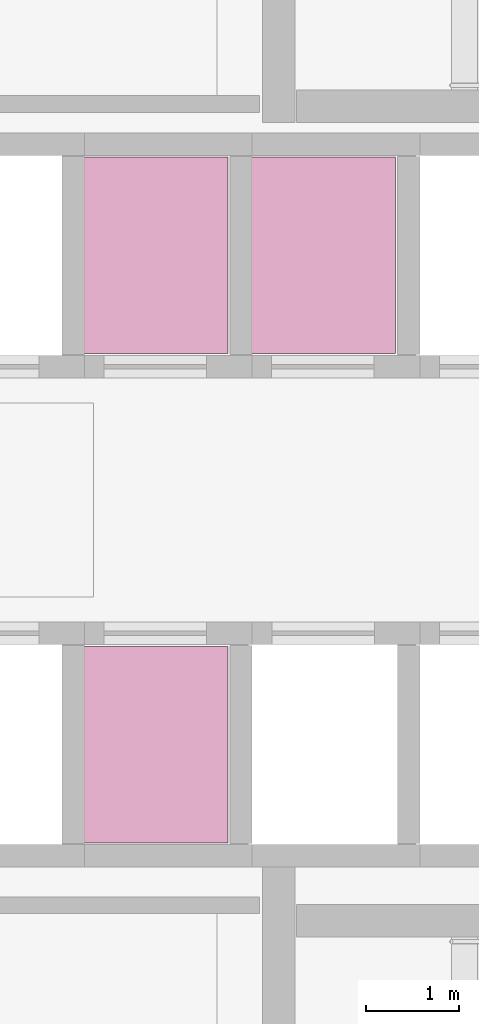
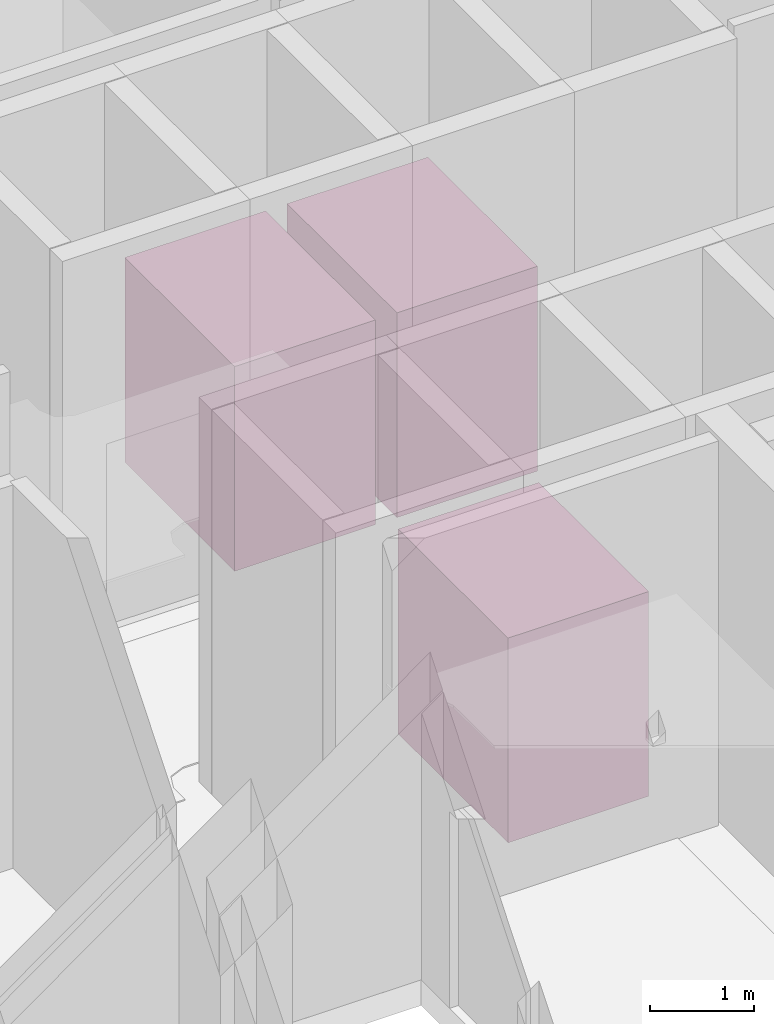
# One storey, part 36 of 36: 3 transport elements.
"""IFC4 building model written with IfcOpenShell, lengths in metres."""

from ifc_helpers import new_model, si_unit, direction, frame, origin, origin_2d, place, context, subcontext, project, spatial, rectangle, extrude, material, type_object, element, save


model = new_model("IFC4")

# Units and contexts
model_context = context("Model", 3, precision=1e-05, world=origin(), true_north=direction((0.0, 1.0)))
body_context = subcontext(model_context, "Body", "Model", "MODEL_VIEW")
ifc_project = project(units=[si_unit("LENGTHUNIT", "METRE"), si_unit("AREAUNIT", "SQUARE_METRE"), si_unit("VOLUMEUNIT", "CUBIC_METRE"), si_unit("PLANEANGLEUNIT", "RADIAN"), si_unit("MASSUNIT", "GRAM", prefix="KILO")], contexts=[model_context])

# Site, building, storey
site_placement = place(None, origin())
site = spatial("IfcSite", under=ifc_project, at=site_placement, CompositionType="ELEMENT")
building_placement = place(site_placement, origin())
building = spatial("IfcBuilding", under=site, at=building_placement, Name="Qorvath Tower", CompositionType="ELEMENT")
storey_placement = place(building_placement, frame((0.0, 0.0, 255.0)))
storey = spatial("IfcBuildingStorey", under=building, at=storey_placement, Name="L59", CompositionType="ELEMENT", Elevation=255.0)

# Transport elements
ifc_material = material(Name="Brushed stainless steel AISI 316", Category="steel")
transport_element_type = type_object("IfcTransportElementType", Name="LFT-PASS", PredefinedType="ELEVATOR", material=ifc_material)
for number, where, z_axis, x_axis, name in (
    (1, (-25.85009765625, 2.625, 0.0), (0.0, 0.0, 1.0), (1.0, 0.0, 0.0), "Elevator PH-1"),
    (2, (-24.050048828125, 2.625, 0.0), (0.0, 0.0, 1.0), (1.0, 0.0, 0.0), "Elevator PH-2"),
    (3, (-25.85009765625, -2.625, 0.0), (0.0, 0.0, 1.0), (1.0, 0.0, 0.0), "Elevator PH-3"),
):
    element("IfcTransportElement", number, at=place(storey_placement, frame(where, z_axis=z_axis, x_axis=x_axis)), inside=storey, type_object=transport_element_type, Name=name, PredefinedType="ELEVATOR", context=body_context, shape_type="SweptSolid", body=[
        extrude(rectangle(XDim=1.56005859375, YDim=2.110107421875, at=origin_2d()), origin(), (0.0, 0.0, 1.0), 2.39990234375),
    ])

save(model, "model.ifc")
